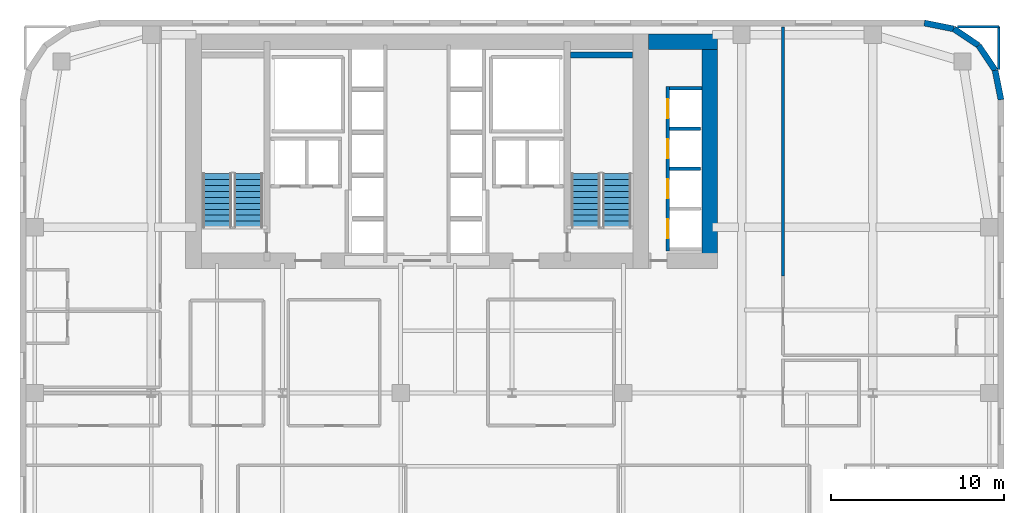
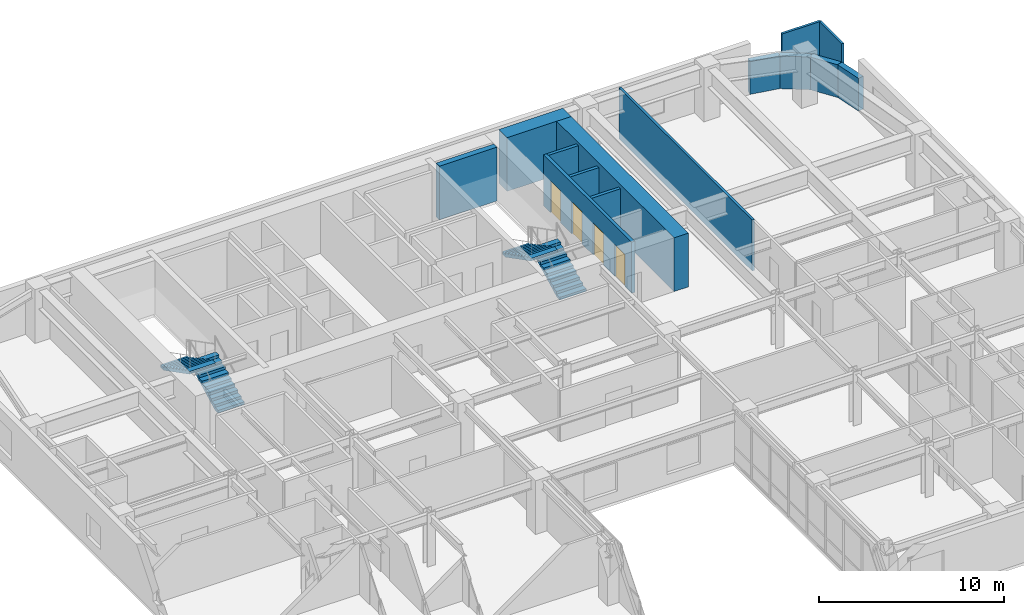
# One storey, part 15 of 16: 14 walls, 4 doors, 4 stair flights, 4 openings, 2 elements without a shape of their own.
"""IFC4 building model written with IfcOpenShell, lengths in metres."""

from ifc_helpers import new_model, si_unit, direction, frame, frame_2d, origin, place, context, subcontext, project, spatial, polyline, rectangle, outline, extrude, source, transform, mapped, material, layer, layer_set, type_object, type_shapes, element, fill, aggregate, save


model = new_model("IFC4")

# Units and contexts
model_context = context("Model", 3, precision=1e-05, world=origin(), true_north=direction((0.0, 1.0)))
body_context = subcontext(model_context, "Body", "Model", "MODEL_VIEW")
ifc_project = project(units=[si_unit("LENGTHUNIT", "METRE"), si_unit("AREAUNIT", "SQUARE_METRE"), si_unit("VOLUMEUNIT", "CUBIC_METRE"), si_unit("PLANEANGLEUNIT", "RADIAN"), si_unit("MASSUNIT", "GRAM", prefix="KILO")], contexts=[model_context])

# Site, building, storey
site_placement = place(None, origin())
site = spatial("IfcSite", under=ifc_project, at=site_placement, CompositionType="ELEMENT")
building_placement = place(site_placement, origin())
building = spatial("IfcBuilding", under=site, at=building_placement, Name="Tolvann Quenvar Hotel", CompositionType="ELEMENT")
storey_placement = place(building_placement, frame((0.0, 0.0, 63.949951171875)))
storey = spatial("IfcBuildingStorey", under=building, at=storey_placement, Name="L15", CompositionType="ELEMENT", Elevation=63.949951171875)

# Walls
ifc_material_1 = material(Name="Concrete S80 (80 MPa)", Category="concrete")
ifc_layer_1 = layer(ifc_material_1, 0.89990234375)
ifc_layer_set_1 = layer_set([ifc_layer_1], Name="Concrete S80 (80 MPa)")
wall_type_1 = type_object("IfcWallType", Name="WALL_CORE_900", PredefinedType="SHEAR", material=ifc_layer_set_1)
wall_1_placement = place(storey_placement, frame((36.39990234375, 44.75, 0.0), z_axis=(0.0, 0.0, 1.0), x_axis=(1.0, 0.0, 0.0)))
element("IfcWall", 1, at=wall_1_placement, inside=storey, type_object=wall_type_1, Name="Core East Annex Shear Wall ANN-N (L15)", PredefinedType="SHEAR", context=body_context, shape_type="SweptSolid", body=[
    extrude(rectangle(XDim=4.0, YDim=0.89990234375, at=frame_2d((2.0, 0.0))), origin(), (0.0, 0.0, 1.0), 3.550048828125),
])
wall_2_placement = place(storey_placement, frame((39.949951171875, 31.60009765625, 0.0), z_axis=(0.0, 0.0, 1.0), x_axis=(0.0, 1.0, 0.0)))
element("IfcWall", 2, at=wall_2_placement, inside=storey, type_object=wall_type_1, Name="Core East Annex Shear Wall ANN-E (L15)", PredefinedType="SHEAR", context=body_context, shape_type="SweptSolid", body=[
    extrude(rectangle(XDim=13.599853515625, YDim=0.89990234375, at=frame_2d((6.7998046875, 0.0))), origin(), (0.0, 0.0, 1.0), 3.550048828125),
])
ifc_material_2 = material(Name="Concrete S65 (65 MPa)", Category="concrete")
ifc_layer_2 = layer(ifc_material_2, 0.35009765625)
ifc_layer_set_2 = layer_set([ifc_layer_2], Name="Concrete S65 (65 MPa)")
wall_type_2 = type_object("IfcWallType", Name="WALL_CORE_INT_350", PredefinedType="SHEAR", material=ifc_layer_set_2)
wall_3_placement = place(storey_placement, frame((31.8798828125, 43.97509765625, 0.0), z_axis=(0.0, 0.0, 1.0), x_axis=(1.0, 0.0, 0.0)))
element("IfcWall", 3, at=wall_3_placement, inside=storey, type_object=wall_type_2, Name="Core Stair North Closing Shear Wall STC2-N (L15)", PredefinedType="SHEAR", context=body_context, shape_type="SweptSolid", body=[
    extrude(rectangle(XDim=3.60009765625, YDim=0.35009765625, at=frame_2d((1.800048828125, 0.0))), origin(), (0.0, 0.0, 1.0), 3.550048828125),
])
ifc_material_3 = material(Name="Kiln-fired red and buff architectural clay brickwork and terracotta masonry", Category="masonry")
ifc_layer_3 = layer(ifc_material_3, 0.35009765625)
ifc_layer_set_3 = layer_set([ifc_layer_3], Name="Kiln-fired red and buff architectural clay brickwork and terracotta masonry")
wall_type_3 = type_object("IfcWallType", Name="WALL_EXT_BRICK_350", PredefinedType="SOLIDWALL", material=ifc_layer_set_3)
wall_4_placement = place(storey_placement, frame((56.824951171875, 41.3828125, 0.0), z_axis=(0.0, 0.0, 1.0), x_axis=(-0.195011420161, 0.980800971659, 0.0)))
element("IfcWall", 4, at=wall_4_placement, inside=storey, type_object=wall_type_3, Name="Exterior Chicago Brick Wall L15-E14", PredefinedType="SOLIDWALL", context=body_context, shape_type="SweptSolid", body=[
    extrude(rectangle(XDim=1.74267578125, YDim=0.35009765625, at=frame_2d((0.871337890625, 0.0))), origin(), (0.0, 0.0, 1.0), 2.16015625),
])
for number, where, z_axis, x_axis, name in (
    (5, (56.485107421875, 43.092041015625, 0.0), (0.0, 0.0, 1.0), (-0.55554893791, 0.831483840845, 0.0), "Exterior Chicago Brick Wall L15-E15"),
    (6, (55.526611328125, 44.526611328125, 0.0), (0.0, 0.0, 1.0), (-0.831483840845, 0.55554893791, 0.0), "Exterior Chicago Brick Wall L15-E16"),
):
    element("IfcWall", number, at=place(storey_placement, frame(where, z_axis=z_axis, x_axis=x_axis)), inside=storey, type_object=wall_type_3, Name=name, PredefinedType="SOLIDWALL", context=body_context, shape_type="SweptSolid", body=[
        extrude(rectangle(XDim=1.725341796875, YDim=0.35009765625, at=frame_2d((0.86279296875, 0.0))), origin(), (0.0, 0.0, 1.0), 2.16015625),
    ])
wall_5_placement = place(storey_placement, frame((54.092041015625, 45.485107421875, 0.0), z_axis=(0.0, 0.0, 1.0), x_axis=(-0.980800971659, 0.195011420161, 0.0)))
element("IfcWall", 7, at=wall_5_placement, inside=storey, type_object=wall_type_3, Name="Exterior Chicago Brick Wall L15-E17", PredefinedType="SOLIDWALL", context=body_context, shape_type="SweptSolid", body=[
    extrude(rectangle(XDim=1.74267578125, YDim=0.35009765625, at=frame_2d((0.871337890625, 0.0))), origin(), (0.0, 0.0, 1.0), 2.16015625),
])
ifc_material_4 = material(Name="Acoustic twin-stud fire-rated gypsum plasterboard partition")
ifc_layer_4 = layer(ifc_material_4, 0.14990234375)
ifc_layer_set_4 = layer_set([ifc_layer_4], Name="Acoustic twin-stud fire-rated gypsum plasterboard partition")
wall_type_4 = type_object("IfcWallType", Name="WALL_PART_SUITE_150", PredefinedType="PARTITIONING", material=ifc_layer_set_4)
wall_6_placement = place(storey_placement, frame((56.699951171875, 43.135009765625, 0.0), z_axis=(0.0, 0.0, 1.0), x_axis=(0.0, 1.0, 0.0)))
element("IfcWall", 8, at=wall_6_placement, inside=storey, type_object=wall_type_4, Name="Interior Partition PT-SPC-L15-RM-NE01-E4", PredefinedType="PARTITIONING", context=body_context, shape_type="SweptSolid", body=[
    extrude(rectangle(XDim=2.485107421875, YDim=0.14990234375, at=frame_2d((1.24267578125, 0.0))), origin(), (0.0, 0.0, 1.0), 3.3701171875),
])
wall_7_placement = place(storey_placement, frame((54.303955078125, 45.6201171875, 0.0), z_axis=(0.0, 0.0, 1.0), x_axis=(1.0, 0.0, 0.0)))
element("IfcWall", 9, at=wall_7_placement, inside=storey, type_object=wall_type_4, Name="Interior Partition PT-SPC-L15-RM-NE01-E5", PredefinedType="PARTITIONING", context=body_context, shape_type="SweptSolid", body=[
    extrude(rectangle(XDim=2.39599609375, YDim=0.14990234375, at=frame_2d((1.197998046875, 0.0))), origin(), (0.0, 0.0, 1.0), 3.3701171875),
])
wall_8_placement = place(storey_placement, frame((44.199951171875, 31.169921875, 0.0), z_axis=(0.0, 0.0, 1.0), x_axis=(0.0, 1.0, 0.0)))
element("IfcWall", 10, at=wall_8_placement, inside=storey, type_object=wall_type_4, Name="Interior Partition PT-SPC-L15-RM-NE01-E6", PredefinedType="PARTITIONING", context=body_context, shape_type="SweptSolid", body=[
    extrude(rectangle(XDim=14.425048828125, YDim=0.14990234375, at=frame_2d((7.21240234375, 0.0))), origin(), (0.0, 0.0, 1.0), 3.3701171875),
])

# Wall, openings, doors
ifc_material_5 = material(Name="Concrete N40 (40 MPa)", Category="concrete")
ifc_layer_5 = layer(ifc_material_5, 0.199951171875)
ifc_layer_set_5 = layer_set([ifc_layer_5], Name="Concrete N40 (40 MPa)")
wall_type_5 = type_object("IfcWallType", Name="WALL_SHAFT_200", PredefinedType="SOLIDWALL", material=ifc_layer_set_5)
wall_9_placement = place(storey_placement, frame((37.530029296875, 32.610107421875, 0.0), z_axis=(0.0, 0.0, 1.0), x_axis=(0.0, 1.0, 0.0)))
wall_9 = element("IfcWall", 11, at=wall_9_placement, inside=storey, type_object=wall_type_5, Name="Lift Bank W37.6C1 Hoistway Front Wall (L15)", PredefinedType="SOLIDWALL", context=body_context, shape_type="SweptSolid", body=[
    extrude(rectangle(XDim=9.539794921875, YDim=0.199951171875, at=frame_2d((4.77001953125, 0.0))), origin(), (0.0, 0.0, 1.0), 3.3701171875),
])
opening_1_placement = place(wall_9_placement, frame((0.739990234375, 0.0, 0.0)))
opening_1 = element("IfcOpeningElement", 12, at=opening_1_placement, cuts=wall_9, Name="Opening LD-01", PredefinedType="OPENING", context=body_context, shape_type="SweptSolid", body=[
    extrude(rectangle(XDim=1.10009765625, YDim=2.1201171875, at=frame_2d((0.550048828125, 1.06005859375))), frame((0.0, 0.10986328125, 0.0), z_axis=(0.0, -1.0, 0.0), x_axis=(1.0, 0.0, 0.0)), (0.0, 0.0, 1.0), 0.219970703125),
])
opening_2_placement = place(wall_9_placement, frame((3.06005859375, 0.0, 0.0)))
opening_2 = element("IfcOpeningElement", 13, at=opening_2_placement, cuts=wall_9, Name="Opening LD-01", PredefinedType="OPENING", context=body_context, shape_type="SweptSolid", body=[
    extrude(rectangle(XDim=1.10009765625, YDim=2.1201171875, at=frame_2d((0.550048828125, 1.06005859375))), frame((0.0, 0.10986328125, 0.0), z_axis=(0.0, -1.0, 0.0), x_axis=(1.0, 0.0, 0.0)), (0.0, 0.0, 1.0), 0.219970703125),
])
opening_3_placement = place(wall_9_placement, frame((5.3798828125, 0.0, 0.0)))
opening_3 = element("IfcOpeningElement", 14, at=opening_3_placement, cuts=wall_9, Name="Opening LD-01", PredefinedType="OPENING", context=body_context, shape_type="SweptSolid", body=[
    extrude(rectangle(XDim=1.10009765625, YDim=2.1201171875, at=frame_2d((0.550048828125, 1.06005859375))), frame((0.0, 0.10986328125, 0.0), z_axis=(0.0, -1.0, 0.0), x_axis=(1.0, 0.0, 0.0)), (0.0, 0.0, 1.0), 0.219970703125),
])
opening_4_placement = place(wall_9_placement, frame((7.699951171875, 0.0, 0.0)))
opening_4 = element("IfcOpeningElement", 15, at=opening_4_placement, cuts=wall_9, Name="Opening LD-01", PredefinedType="OPENING", context=body_context, shape_type="SweptSolid", body=[
    extrude(rectangle(XDim=1.10009765625, YDim=2.1201171875, at=frame_2d((0.550048828125, 1.06005859375))), frame((0.0, 0.10986328125, 0.0), z_axis=(0.0, -1.0, 0.0), x_axis=(1.0, 0.0, 0.0)), (0.0, 0.0, 1.0), 0.219970703125),
])
ifc_material_6 = material(Name="Brushed 316 stainless steel automatic sliding lift landing door", Category="steel")
door_type = type_object("IfcDoorType", Name="DOOR_LIFT_SLIDE_1100", OperationType="NOTDEFINED", PredefinedType="DOOR", material=ifc_material_6)
shared_shape = source(origin(), body_context, "Body", "SweptSolid", [
    extrude(rectangle(XDim=1.10009765625, YDim=2.1201171875, at=frame_2d((0.550048828125, 1.06005859375))), frame((0.0, 0.02490234375, 0.0), z_axis=(0.0, -1.0, 0.0), x_axis=(1.0, 0.0, 0.0)), (0.0, 0.0, 1.0), 0.050048828125),
])
type_shapes(door_type, [shared_shape])
door_1_placement = place(opening_1_placement, origin())
door_1 = element("IfcDoor", 16, at=door_1_placement, inside=storey, type_object=door_type, Name="Lift PL-1 Sliding Landing Door (L15)", OperationType="SLIDING_TO_LEFT", OverallHeight=2.1201171875, OverallWidth=1.10009765625, PredefinedType="DOOR", context=body_context, shape_type="MappedRepresentation", body=[
    mapped(shared_shape, transform((0.0, 0.0, 0.0), x_axis=(1.0, 0.0, 0.0), y_axis=(0.0, 1.0, 0.0), z_axis=(0.0, 0.0, 1.0), scale=1.0)),
])
fill(opening_1, door_1)
door_2_placement = place(opening_2_placement, origin())
door_2 = element("IfcDoor", 17, at=door_2_placement, inside=storey, type_object=door_type, Name="Lift PL-2 Sliding Landing Door (L15)", OperationType="SLIDING_TO_RIGHT", OverallHeight=2.1201171875, OverallWidth=1.10009765625, PredefinedType="DOOR", context=body_context, shape_type="MappedRepresentation", body=[
    mapped(shared_shape, transform((0.0, 0.0, 0.0), x_axis=(1.0, 0.0, 0.0), y_axis=(0.0, 1.0, 0.0), z_axis=(0.0, 0.0, 1.0), scale=1.0)),
])
fill(opening_2, door_2)
door_3_placement = place(opening_3_placement, origin())
door_3 = element("IfcDoor", 18, at=door_3_placement, inside=storey, type_object=door_type, Name="Lift PL-3 Sliding Landing Door (L15)", OperationType="SLIDING_TO_LEFT", OverallHeight=2.1201171875, OverallWidth=1.10009765625, PredefinedType="DOOR", context=body_context, shape_type="MappedRepresentation", body=[
    mapped(shared_shape, transform((0.0, 0.0, 0.0), x_axis=(1.0, 0.0, 0.0), y_axis=(0.0, 1.0, 0.0), z_axis=(0.0, 0.0, 1.0), scale=1.0)),
])
fill(opening_3, door_3)
door_4_placement = place(opening_4_placement, origin())
door_4 = element("IfcDoor", 19, at=door_4_placement, inside=storey, type_object=door_type, Name="Lift PL-4 Sliding Landing Door (L15)", OperationType="SLIDING_TO_RIGHT", OverallHeight=2.1201171875, OverallWidth=1.10009765625, PredefinedType="DOOR", context=body_context, shape_type="MappedRepresentation", body=[
    mapped(shared_shape, transform((0.0, 0.0, 0.0), x_axis=(1.0, 0.0, 0.0), y_axis=(0.0, 1.0, 0.0), z_axis=(0.0, 0.0, 1.0), scale=1.0)),
])
fill(opening_4, door_4)

# Walls
wall_10_placement = place(storey_placement, frame((37.6298828125, 42.050048828125, 0.0), z_axis=(0.0, 0.0, 1.0), x_axis=(1.0, 0.0, 0.0)))
element("IfcWall", 20, at=wall_10_placement, inside=storey, type_object=wall_type_5, Name="Lift Bank W37.6C1 Hoistway Cheek Wall 2 (L15)", PredefinedType="SOLIDWALL", context=body_context, shape_type="SweptSolid", body=[
    extrude(rectangle(XDim=1.8701171875, YDim=0.199951171875, at=frame_2d((0.93505859375, 0.0))), origin(), (0.0, 0.0, 1.0), 3.3701171875),
])
for number, where, z_axis, x_axis, name in (
    (21, (37.6298828125, 37.3798828125, 0.0), (0.0, 0.0, 1.0), (1.0, 0.0, 0.0), "Lift Bank W37.6C1 Divider Wall 2 (L15)"),
    (22, (37.6298828125, 39.699951171875, 0.0), (0.0, 0.0, 1.0), (1.0, 0.0, 0.0), "Lift Bank W37.6C1 Divider Wall 3 (L15)"),
):
    element("IfcWall", number, at=place(storey_placement, frame(where, z_axis=z_axis, x_axis=x_axis)), inside=storey, type_object=wall_type_5, Name=name, PredefinedType="SOLIDWALL", context=body_context, shape_type="SweptSolid", body=[
        extrude(rectangle(XDim=1.800048828125, YDim=0.199951171875, at=frame_2d((0.89990234375, 0.0))), origin(), (0.0, 0.0, 1.0), 3.3701171875),
    ])

# Stair, stair flights
stair_type = type_object("IfcStairType", Name="STAIR", PredefinedType="HALF_TURN_STAIR", material=ifc_material_5)
stair_1_placement = place(storey_placement, origin())
stair_1 = element("IfcStair", 23, at=stair_1_placement, inside=storey, type_object=stair_type, Name="L15 ST-C1", PredefinedType="HALF_TURN_STAIR")
stair_flight_type = type_object("IfcStairFlightType", Name="STAIR_FLIGHT", PredefinedType="STRAIGHT", material=ifc_material_5)
stair_flight_1_placement = place(storey_placement, frame((13.22509765625, 34.0, 0.0), z_axis=(0.0, 0.0, 1.0), x_axis=(0.0, 1.0, 0.0)))
stair_flight_1 = element("IfcStairFlight", 24, at=stair_flight_1_placement, type_object=stair_flight_type, Name="ST-C1 flight 1", NumberOfRisers=10, NumberOfTreads=9, PredefinedType="STRAIGHT", RiserHeight=0.1775, TreadLength=0.345, context=body_context, shape_type="SweptSolid", body=[
    extrude(outline(polyline([(0.0, 0.0), (0.0, 0.177490234375), (0.344970703125, 0.177490234375), (0.344970703125, 0.35498046875), (0.68994140625, 0.35498046875), (0.68994140625, 0.532470703125), (1.034912109375, 0.532470703125), (1.034912109375, 0.7099609375), (1.3798828125, 0.7099609375), (1.3798828125, 0.887451171875), (1.72509765625, 0.887451171875), (1.72509765625, 1.06494140625), (2.070068359375, 1.06494140625), (2.070068359375, 1.242431640625), (2.4150390625, 1.242431640625), (2.4150390625, 1.419921875), (2.760009765625, 1.419921875), (2.760009765625, 1.597412109375), (3.10498046875, 1.597412109375), (3.10498046875, 1.77490234375), (3.10498046875, 1.428955078125), (0.32763671875, 0.0), (0.0, 0.0)])), frame((0.0, 0.824951171875, 0.0), z_axis=(0.0, -1.0, 0.0), x_axis=(1.0, 0.0, 0.0)), (0.0, 0.0, 1.0), 1.64990234375),
])
stair_flight_2_placement = place(storey_placement, frame((11.425048828125, 37.10498046875, 1.775146484375), z_axis=(0.0, 0.0, 1.0), x_axis=(0.0, -1.0, 0.0)))
stair_flight_2 = element("IfcStairFlight", 25, at=stair_flight_2_placement, type_object=stair_flight_type, Name="ST-C1 flight 2", NumberOfRisers=10, NumberOfTreads=9, PredefinedType="STRAIGHT", RiserHeight=0.1775, TreadLength=0.345, context=body_context, shape_type="SweptSolid", body=[
    extrude(outline(polyline([(0.0, 0.0), (0.0, 0.177490234375), (0.344970703125, 0.177490234375), (0.344970703125, 0.35498046875), (0.68994140625, 0.35498046875), (0.68994140625, 0.532470703125), (1.034912109375, 0.532470703125), (1.034912109375, 0.7099609375), (1.3798828125, 0.7099609375), (1.3798828125, 0.887451171875), (1.72509765625, 0.887451171875), (1.72509765625, 1.06494140625), (2.070068359375, 1.06494140625), (2.070068359375, 1.242431640625), (2.4150390625, 1.242431640625), (2.4150390625, 1.419921875), (2.760009765625, 1.419921875), (2.760009765625, 1.597412109375), (3.10498046875, 1.597412109375), (3.10498046875, 1.77490234375), (3.10498046875, 1.428955078125), (0.32763671875, 0.0), (0.0, 0.0)])), frame((0.0, 0.824951171875, 0.0), z_axis=(0.0, -1.0, 0.0), x_axis=(1.0, 0.0, 0.0)), (0.0, 0.0, 1.0), 1.64990234375),
])
aggregate(stair_1, [stair_flight_1, stair_flight_2])

stair_2_placement = place(storey_placement, origin())
stair_2 = element("IfcStair", 26, at=stair_2_placement, inside=storey, type_object=stair_type, Name="L15 ST-C2", PredefinedType="HALF_TURN_STAIR")
stair_flight_3_placement = place(storey_placement, frame((34.574951171875, 34.0, 0.0), z_axis=(0.0, 0.0, 1.0), x_axis=(0.0, 1.0, 0.0)))
stair_flight_3 = element("IfcStairFlight", 27, at=stair_flight_3_placement, type_object=stair_flight_type, Name="ST-C2 flight 1", NumberOfRisers=10, NumberOfTreads=9, PredefinedType="STRAIGHT", RiserHeight=0.1775, TreadLength=0.345, context=body_context, shape_type="SweptSolid", body=[
    extrude(outline(polyline([(0.0, 0.0), (0.0, 0.177490234375), (0.344970703125, 0.177490234375), (0.344970703125, 0.35498046875), (0.68994140625, 0.35498046875), (0.68994140625, 0.532470703125), (1.034912109375, 0.532470703125), (1.034912109375, 0.7099609375), (1.3798828125, 0.7099609375), (1.3798828125, 0.887451171875), (1.72509765625, 0.887451171875), (1.72509765625, 1.06494140625), (2.070068359375, 1.06494140625), (2.070068359375, 1.242431640625), (2.4150390625, 1.242431640625), (2.4150390625, 1.419921875), (2.760009765625, 1.419921875), (2.760009765625, 1.597412109375), (3.10498046875, 1.597412109375), (3.10498046875, 1.77490234375), (3.10498046875, 1.428955078125), (0.32763671875, 0.0), (0.0, 0.0)])), frame((0.0, 0.824951171875, 0.0), z_axis=(0.0, -1.0, 0.0), x_axis=(1.0, 0.0, 0.0)), (0.0, 0.0, 1.0), 1.64990234375),
])
stair_flight_4_placement = place(storey_placement, frame((32.77490234375, 37.10498046875, 1.775146484375), z_axis=(0.0, 0.0, 1.0), x_axis=(0.0, -1.0, 0.0)))
stair_flight_4 = element("IfcStairFlight", 28, at=stair_flight_4_placement, type_object=stair_flight_type, Name="ST-C2 flight 2", NumberOfRisers=10, NumberOfTreads=9, PredefinedType="STRAIGHT", RiserHeight=0.1775, TreadLength=0.345, context=body_context, shape_type="SweptSolid", body=[
    extrude(outline(polyline([(0.0, 0.0), (0.0, 0.177490234375), (0.344970703125, 0.177490234375), (0.344970703125, 0.35498046875), (0.68994140625, 0.35498046875), (0.68994140625, 0.532470703125), (1.034912109375, 0.532470703125), (1.034912109375, 0.7099609375), (1.3798828125, 0.7099609375), (1.3798828125, 0.887451171875), (1.72509765625, 0.887451171875), (1.72509765625, 1.06494140625), (2.070068359375, 1.06494140625), (2.070068359375, 1.242431640625), (2.4150390625, 1.242431640625), (2.4150390625, 1.419921875), (2.760009765625, 1.419921875), (2.760009765625, 1.597412109375), (3.10498046875, 1.597412109375), (3.10498046875, 1.77490234375), (3.10498046875, 1.428955078125), (0.32763671875, 0.0), (0.0, 0.0)])), frame((0.0, 0.824951171875, 0.0), z_axis=(0.0, -1.0, 0.0), x_axis=(1.0, 0.0, 0.0)), (0.0, 0.0, 1.0), 1.64990234375),
])
aggregate(stair_2, [stair_flight_3, stair_flight_4])

save(model, "model.ifc")
